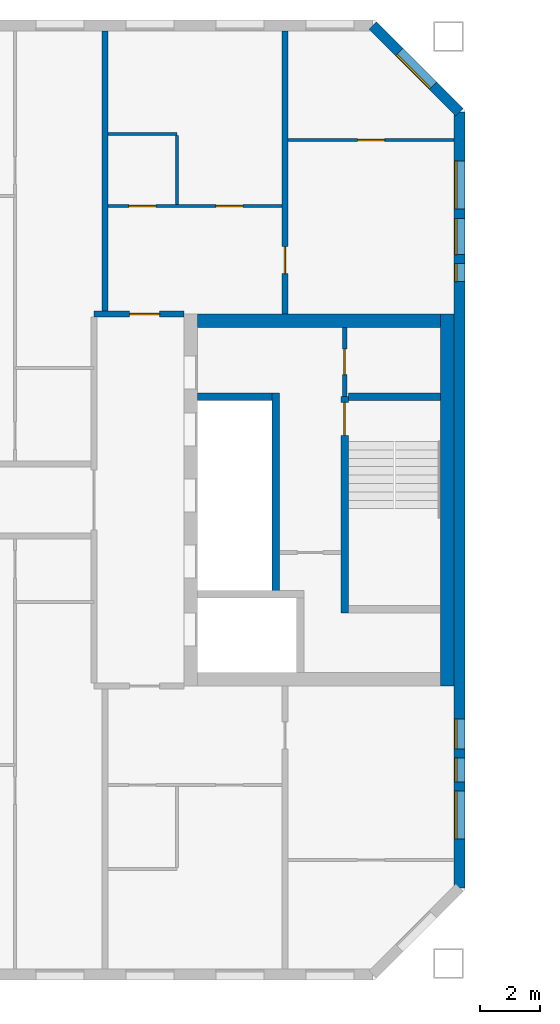
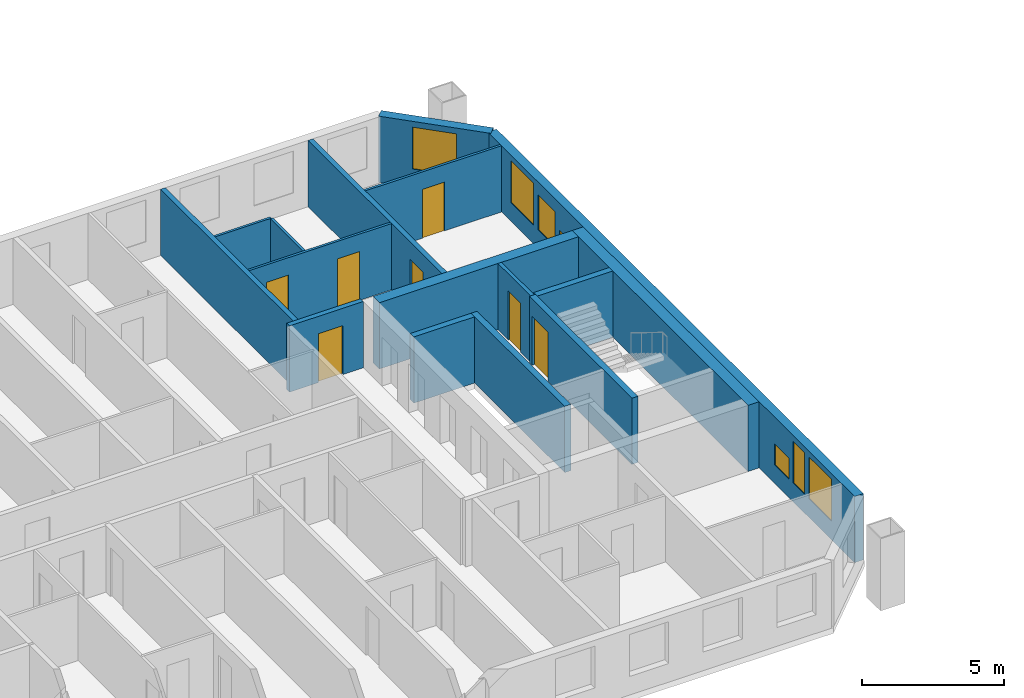
# One storey, part 7 of 15: 16 walls, 7 doors, 7 windows, 14 openings.
"""IFC4 building model written with IfcOpenShell, lengths in metres."""

from ifc_helpers import new_model, si_unit, direction, frame, frame_2d, origin, place, context, subcontext, project, spatial, rectangle, extrude, material, layer, layer_set, type_object, element, fill, save


model = new_model("IFC4")

# Units and contexts
model_context = context("Model", 3, precision=1e-05, world=origin(), true_north=direction((0.0, 1.0)))
body_context = subcontext(model_context, "Body", "Model", "MODEL_VIEW")
ifc_project = project(units=[si_unit("LENGTHUNIT", "METRE"), si_unit("AREAUNIT", "SQUARE_METRE"), si_unit("VOLUMEUNIT", "CUBIC_METRE"), si_unit("PLANEANGLEUNIT", "RADIAN"), si_unit("MASSUNIT", "GRAM", prefix="KILO")], contexts=[model_context])

# Site, building, storey
site_placement = place(None, origin())
site = spatial("IfcSite", under=ifc_project, at=site_placement, CompositionType="ELEMENT")
building_placement = place(site_placement, origin())
building = spatial("IfcBuilding", under=site, at=building_placement, Name="Tuart Gate Housing", CompositionType="ELEMENT")
storey_placement = place(building_placement, frame((0.0, 0.0, 185.10009765625)))
storey = spatial("IfcBuildingStorey", under=building, at=storey_placement, Name="L52", CompositionType="ELEMENT", Elevation=185.10009765625)

# Wall, openings, windows
ifc_material_1 = material(Name="Brick", Category="masonry")
ifc_layer_1 = layer(ifc_material_1, 0.360107421875)
ifc_layer_set_1 = layer_set([ifc_layer_1], Name="Brick pier and spandrel wall 360")
wall_type_1 = type_object("IfcWallType", Name="Brick pier and spandrel wall 360", PredefinedType="STANDARD", material=ifc_layer_set_1)
wall_1_placement = place(storey_placement, frame((75.820068359375, 57.07470703125, 0.0), z_axis=(0.0, 0.0, 1.0), x_axis=(0.0, 1.0, 0.0)))
wall_1 = element("IfcWall", 1, at=wall_1_placement, inside=storey, type_object=wall_type_1, Name="External wall A-E L52", PredefinedType="STANDARD", context=body_context, shape_type="SweptSolid", body=[
    extrude(rectangle(XDim=25.850830078125, YDim=0.360107421875, at=frame_2d((12.92529296875, 0.0))), origin(), (0.0, 0.0, 1.0), 2.849853515625),
])
opening_1_placement = place(wall_1_placement, frame((1.62548828125, 0.0, 0.800048828125)))
opening_1 = element("IfcOpeningElement", 2, at=opening_1_placement, cuts=wall_1, Name="Opening W1", PredefinedType="OPENING", context=body_context, shape_type="SweptSolid", body=[
    extrude(rectangle(XDim=1.60009765625, YDim=1.800048828125, at=frame_2d((0.800048828125, 0.89990234375))), frame((0.0, 0.18994140625, 0.0), z_axis=(0.0, -1.0, 0.0), x_axis=(1.0, 0.0, 0.0)), (0.0, 0.0, 1.0), 0.380126953125),
])
opening_2_placement = place(wall_1_placement, frame((3.525390625, 0.0, 0.800048828125)))
opening_2 = element("IfcOpeningElement", 3, at=opening_2_placement, cuts=wall_1, Name="Opening W1D", PredefinedType="OPENING", context=body_context, shape_type="SweptSolid", body=[
    extrude(rectangle(XDim=0.800048828125, YDim=1.800048828125, at=frame_2d((0.39990234375, 0.89990234375))), frame((0.0, 0.18994140625, 0.0), z_axis=(0.0, -1.0, 0.0), x_axis=(1.0, 0.0, 0.0)), (0.0, 0.0, 1.0), 0.380126953125),
])
opening_3_placement = place(wall_1_placement, frame((20.200439453125, 0.0, 0.800048828125)))
opening_3 = element("IfcOpeningElement", 4, at=opening_3_placement, cuts=wall_1, Name="Opening W1W", PredefinedType="OPENING", context=body_context, shape_type="SweptSolid", body=[
    extrude(rectangle(XDim=0.60009765625, YDim=0.89990234375, at=frame_2d((0.300048828125, 0.449951171875))), frame((0.0, 0.18994140625, 0.0), z_axis=(0.0, -1.0, 0.0), x_axis=(1.0, 0.0, 0.0)), (0.0, 0.0, 1.0), 0.380126953125),
])
opening_4_placement = place(wall_1_placement, frame((22.62548828125, 0.0, 0.800048828125)))
opening_4 = element("IfcOpeningElement", 5, at=opening_4_placement, cuts=wall_1, Name="Opening W1", PredefinedType="OPENING", context=body_context, shape_type="SweptSolid", body=[
    extrude(rectangle(XDim=1.60009765625, YDim=1.800048828125, at=frame_2d((0.800048828125, 0.89990234375))), frame((0.0, 0.18994140625, 0.0), z_axis=(0.0, -1.0, 0.0), x_axis=(1.0, 0.0, 0.0)), (0.0, 0.0, 1.0), 0.380126953125),
])
opening_5_placement = place(wall_1_placement, frame((4.62548828125, 0.0, 0.800048828125)))
opening_5 = element("IfcOpeningElement", 6, at=opening_5_placement, cuts=wall_1, Name="Opening W1U", PredefinedType="OPENING", context=body_context, shape_type="SweptSolid", body=[
    extrude(rectangle(XDim=1.0, YDim=0.89990234375, at=frame_2d((0.5, 0.449951171875))), frame((0.0, 0.18994140625, 0.0), z_axis=(0.0, -1.0, 0.0), x_axis=(1.0, 0.0, 0.0)), (0.0, 0.0, 1.0), 0.380126953125),
])
opening_6_placement = place(wall_1_placement, frame((21.100341796875, 0.0, 0.800048828125)))
opening_6 = element("IfcOpeningElement", 7, at=opening_6_placement, cuts=wall_1, Name="Opening W1H", PredefinedType="OPENING", context=body_context, shape_type="SweptSolid", body=[
    extrude(rectangle(XDim=1.199951171875, YDim=1.5, at=frame_2d((0.60009765625, 0.75))), frame((0.0, 0.18994140625, 0.0), z_axis=(0.0, -1.0, 0.0), x_axis=(1.0, 0.0, 0.0)), (0.0, 0.0, 1.0), 0.380126953125),
])
ifc_material_2 = material(Name="Aluminium frame with clear glass", Category="aluminium")
window_type_1 = type_object("IfcWindowType", Name="Punched window 1000 x 900", PartitioningType="SINGLE_PANEL", PredefinedType="WINDOW", material=ifc_material_2)
window_1_placement = place(opening_5_placement, origin())
window_1 = element("IfcWindow", 8, at=window_1_placement, inside=storey, type_object=window_type_1, Name="Window W1U", OverallHeight=0.89990234375, OverallWidth=1.0, PartitioningType="SINGLE_PANEL", PredefinedType="WINDOW", context=body_context, shape_type="SweptSolid", body=[
    extrude(rectangle(XDim=1.0, YDim=0.89990234375, at=frame_2d((0.5, 0.449951171875))), frame((0.0, 0.150146484375, 0.0), z_axis=(0.0, -1.0, 0.0), x_axis=(1.0, 0.0, 0.0)), (0.0, 0.0, 1.0), 0.06005859375),
])
fill(opening_5, window_1)
ifc_material_3 = material(Name="Aluminium frame with clear glass", Category="aluminium")
window_type_2 = type_object("IfcWindowType", Name="Punched window 1200 x 1500", PartitioningType="SINGLE_PANEL", PredefinedType="WINDOW", material=ifc_material_3)
window_2_placement = place(opening_6_placement, origin())
window_2 = element("IfcWindow", 9, at=window_2_placement, inside=storey, type_object=window_type_2, Name="Window W1H", OverallHeight=1.5, OverallWidth=1.199951171875, PartitioningType="SINGLE_PANEL", PredefinedType="WINDOW", context=body_context, shape_type="SweptSolid", body=[
    extrude(rectangle(XDim=1.199951171875, YDim=1.5, at=frame_2d((0.60009765625, 0.75))), frame((0.0, 0.150146484375, 0.0), z_axis=(0.0, -1.0, 0.0), x_axis=(1.0, 0.0, 0.0)), (0.0, 0.0, 1.0), 0.06005859375),
])
fill(opening_6, window_2)
ifc_material_4 = material(Name="Aluminium frame with clear glass", Category="aluminium")
window_type_3 = type_object("IfcWindowType", Name="Punched window 1600 x 1800", PartitioningType="SINGLE_PANEL", PredefinedType="WINDOW", material=ifc_material_4)
window_3_placement = place(opening_1_placement, origin())
window_3 = element("IfcWindow", 10, at=window_3_placement, inside=storey, type_object=window_type_3, Name="Window W1", OverallHeight=1.800048828125, OverallWidth=1.60009765625, PartitioningType="SINGLE_PANEL", PredefinedType="WINDOW", context=body_context, shape_type="SweptSolid", body=[
    extrude(rectangle(XDim=1.60009765625, YDim=1.800048828125, at=frame_2d((0.800048828125, 0.89990234375))), frame((0.0, 0.150146484375, 0.0), z_axis=(0.0, -1.0, 0.0), x_axis=(1.0, 0.0, 0.0)), (0.0, 0.0, 1.0), 0.06005859375),
])
fill(opening_1, window_3)
window_4_placement = place(opening_4_placement, origin())
window_4 = element("IfcWindow", 11, at=window_4_placement, inside=storey, type_object=window_type_3, Name="Window W1", OverallHeight=1.800048828125, OverallWidth=1.60009765625, PartitioningType="SINGLE_PANEL", PredefinedType="WINDOW", context=body_context, shape_type="SweptSolid", body=[
    extrude(rectangle(XDim=1.60009765625, YDim=1.800048828125, at=frame_2d((0.800048828125, 0.89990234375))), frame((0.0, 0.150146484375, 0.0), z_axis=(0.0, -1.0, 0.0), x_axis=(1.0, 0.0, 0.0)), (0.0, 0.0, 1.0), 0.06005859375),
])
fill(opening_4, window_4)
ifc_material_5 = material(Name="Aluminium frame with clear glass", Category="aluminium")
window_type_4 = type_object("IfcWindowType", Name="Punched window 600 x 900", PartitioningType="SINGLE_PANEL", PredefinedType="WINDOW", material=ifc_material_5)
window_5_placement = place(opening_3_placement, origin())
window_5 = element("IfcWindow", 12, at=window_5_placement, inside=storey, type_object=window_type_4, Name="Window W1W", OverallHeight=0.89990234375, OverallWidth=0.60009765625, PartitioningType="SINGLE_PANEL", PredefinedType="WINDOW", context=body_context, shape_type="SweptSolid", body=[
    extrude(rectangle(XDim=0.60009765625, YDim=0.89990234375, at=frame_2d((0.300048828125, 0.449951171875))), frame((0.0, 0.150146484375, 0.0), z_axis=(0.0, -1.0, 0.0), x_axis=(1.0, 0.0, 0.0)), (0.0, 0.0, 1.0), 0.06005859375),
])
fill(opening_3, window_5)
ifc_material_6 = material(Name="Aluminium frame with clear glass", Category="aluminium")
window_type_5 = type_object("IfcWindowType", Name="Punched window 800 x 1800", PartitioningType="SINGLE_PANEL", PredefinedType="WINDOW", material=ifc_material_6)
window_6_placement = place(opening_2_placement, origin())
window_6 = element("IfcWindow", 13, at=window_6_placement, inside=storey, type_object=window_type_5, Name="Window W1D", OverallHeight=1.800048828125, OverallWidth=0.800048828125, PartitioningType="SINGLE_PANEL", PredefinedType="WINDOW", context=body_context, shape_type="SweptSolid", body=[
    extrude(rectangle(XDim=0.800048828125, YDim=1.800048828125, at=frame_2d((0.39990234375, 0.89990234375))), frame((0.0, 0.150146484375, 0.0), z_axis=(0.0, -1.0, 0.0), x_axis=(1.0, 0.0, 0.0)), (0.0, 0.0, 1.0), 0.06005859375),
])
fill(opening_2, window_6)

# Wall, opening, window
wall_2_placement = place(storey_placement, frame((75.820068359375, 82.92529296875, 0.0), z_axis=(0.0, 0.0, 1.0), x_axis=(-0.707106781187, 0.707106781187, 0.0)))
wall_2 = element("IfcWall", 14, at=wall_2_placement, inside=storey, type_object=wall_type_1, Name="External wall A-NE L52", PredefinedType="STANDARD", context=body_context, shape_type="SweptSolid", body=[
    extrude(rectangle(XDim=4.09375, YDim=0.360107421875, at=frame_2d((2.046875, 0.0))), origin(), (0.0, 0.0, 1.0), 2.849853515625),
])
opening_7_placement = place(wall_2_placement, frame((1.2470703125, 0.0, 0.800048828125)))
opening_7 = element("IfcOpeningElement", 15, at=opening_7_placement, cuts=wall_2, Name="Opening W1", PredefinedType="OPENING", context=body_context, shape_type="SweptSolid", body=[
    extrude(rectangle(XDim=1.60009765625, YDim=1.800048828125, at=frame_2d((0.800048828125, 0.89990234375))), frame((0.0, 0.18994140625, 0.0), z_axis=(0.0, -1.0, 0.0), x_axis=(1.0, 0.0, 0.0)), (0.0, 0.0, 1.0), 0.380126953125),
])
window_7_placement = place(opening_7_placement, origin())
window_7 = element("IfcWindow", 16, at=window_7_placement, inside=storey, type_object=window_type_3, Name="Window W1", OverallHeight=1.800048828125, OverallWidth=1.60009765625, PartitioningType="SINGLE_PANEL", PredefinedType="WINDOW", context=body_context, shape_type="SweptSolid", body=[
    extrude(rectangle(XDim=1.60009765625, YDim=1.800048828125, at=frame_2d((0.800048828125, 0.89990234375))), frame((0.0, 0.150146484375, 0.0), z_axis=(0.0, -1.0, 0.0), x_axis=(1.0, 0.0, 0.0)), (0.0, 0.0, 1.0), 0.06005859375),
])
fill(opening_7, window_7)

# Wall, opening, door
ifc_material_7 = material(Name="Plasterboard partition")
ifc_layer_2 = layer(ifc_material_7, 0.14990234375)
ifc_layer_set_2 = layer_set([ifc_layer_2], Name="Core partition 150")
wall_type_2 = type_object("IfcWallType", Name="Core partition 150", PredefinedType="PARTITIONING", material=ifc_layer_set_2)
wall_3_placement = place(storey_placement, frame((71.989990234375, 73.449951171875, 0.0), z_axis=(0.0, 0.0, 1.0), x_axis=(0.0, 1.0, 0.0)))
wall_3 = element("IfcWall", 17, at=wall_3_placement, inside=storey, type_object=wall_type_2, Name="Core partition AG.9", PredefinedType="PARTITIONING", context=body_context, shape_type="SweptSolid", body=[
    extrude(rectangle(XDim=2.300048828125, YDim=0.14990234375, at=frame_2d((1.14990234375, 0.0))), origin(), (0.0, 0.0, 1.0), 2.849853515625),
])
opening_8_placement = place(wall_3_placement, frame((0.72509765625, 0.0, 0.0)))
opening_8 = element("IfcOpeningElement", 18, at=opening_8_placement, cuts=wall_3, Name="Opening D1861", PredefinedType="OPENING", context=body_context, shape_type="SweptSolid", body=[
    extrude(rectangle(XDim=0.85009765625, YDim=2.10009765625, at=frame_2d((0.425048828125, 1.050048828125))), frame((0.0, 0.0849609375, 0.0), z_axis=(0.0, -1.0, 0.0), x_axis=(1.0, 0.0, 0.0)), (0.0, 0.0, 1.0), 0.169921875),
])
ifc_material_8 = material(Name="Steel fire door", Category="steel")
door_type_1 = type_object("IfcDoorType", Name="Service door 850 x 2100 RH", OperationType="SINGLE_SWING_RIGHT", PredefinedType="DOOR", material=ifc_material_8)
door_1_placement = place(opening_8_placement, frame((0.85009765625, 0.0, 0.0), z_axis=(0.0, 0.0, 1.0), x_axis=(-1.0, 0.0, 0.0)))
door_1 = element("IfcDoor", 19, at=door_1_placement, inside=storey, type_object=door_type_1, Name="Service room door AG.ST", OperationType="SINGLE_SWING_RIGHT", OverallHeight=2.10009765625, OverallWidth=0.85009765625, PredefinedType="DOOR", context=body_context, shape_type="SweptSolid", body=[
    extrude(rectangle(XDim=0.85009765625, YDim=2.10009765625, at=frame_2d((0.425048828125, 1.050048828125))), frame((0.0, 0.025146484375, 0.0), z_axis=(0.0, -1.0, 0.0), x_axis=(1.0, 0.0, 0.0)), (0.0, 0.0, 1.0), 0.050048828125),
])
fill(opening_8, door_1)

# Walls
ifc_material_9 = material(Name="Concrete C40", Category="concrete")
ifc_layer_3 = layer(ifc_material_9, 0.25)
ifc_layer_set_3 = layer_set([ifc_layer_3], Name="Core wall 250 C40")
wall_type_3 = type_object("IfcWallType", Name="Core wall 250 C40", PredefinedType="SHEAR", material=ifc_layer_set_3)
wall_4_placement = place(storey_placement, frame((67.090087890625, 73.449951171875, 0.0), z_axis=(0.0, 0.0, 1.0), x_axis=(1.0, 0.0, 0.0)))
element("IfcWall", 20, at=wall_4_placement, inside=storey, type_object=wall_type_3, Name="Core wall AG.4", PredefinedType="SHEAR", context=body_context, shape_type="SweptSolid", body=[
    extrude(rectangle(XDim=2.474853515625, YDim=0.25, at=frame_2d((1.2373046875, 0.0))), origin(), (0.0, 0.0, 1.0), 2.849853515625),
])
wall_5_placement = place(storey_placement, frame((72.114990234375, 73.449951171875, 0.0), z_axis=(0.0, 0.0, 1.0), x_axis=(1.0, 0.0, 0.0)))
element("IfcWall", 21, at=wall_5_placement, inside=storey, type_object=wall_type_3, Name="Core wall AG.5", PredefinedType="SHEAR", context=body_context, shape_type="SweptSolid", body=[
    extrude(rectangle(XDim=3.074951171875, YDim=0.25, at=frame_2d((1.53759765625, 0.0))), origin(), (0.0, 0.0, 1.0), 2.849853515625),
])
wall_6_placement = place(storey_placement, frame((69.68994140625, 66.97509765625, 0.0), z_axis=(0.0, 0.0, 1.0), x_axis=(0.0, 1.0, 0.0)))
element("IfcWall", 22, at=wall_6_placement, inside=storey, type_object=wall_type_3, Name="Core wall AG.6", PredefinedType="SHEAR", context=body_context, shape_type="SweptSolid", body=[
    extrude(rectangle(XDim=6.599853515625, YDim=0.25, at=frame_2d((3.2998046875, 0.0))), origin(), (0.0, 0.0, 1.0), 2.849853515625),
])

# Wall, opening, door
wall_7_placement = place(storey_placement, frame((71.989990234375, 66.22509765625, 0.0), z_axis=(0.0, 0.0, 1.0), x_axis=(0.0, 1.0, 0.0)))
wall_7 = element("IfcWall", 23, at=wall_7_placement, inside=storey, type_object=wall_type_3, Name="Core wall AG.8", PredefinedType="SHEAR", context=body_context, shape_type="SweptSolid", body=[
    extrude(rectangle(XDim=7.224853515625, YDim=0.25, at=frame_2d((3.6123046875, 0.0))), origin(), (0.0, 0.0, 1.0), 2.849853515625),
])
opening_9_placement = place(wall_7_placement, frame((5.925048828125, 0.0, 0.0)))
opening_9 = element("IfcOpeningElement", 24, at=opening_9_placement, cuts=wall_7, Name="Opening D1871", PredefinedType="OPENING", context=body_context, shape_type="SweptSolid", body=[
    extrude(rectangle(XDim=1.10009765625, YDim=2.10009765625, at=frame_2d((0.550048828125, 1.050048828125))), frame((0.0, 0.135009765625, 0.0), z_axis=(0.0, -1.0, 0.0), x_axis=(1.0, 0.0, 0.0)), (0.0, 0.0, 1.0), 0.27001953125),
])
ifc_material_10 = material(Name="Steel fire door", Category="steel")
door_type_2 = type_object("IfcDoorType", Name="Stair door 1100 x 2100", OperationType="SINGLE_SWING_LEFT", PredefinedType="DOOR", material=ifc_material_10)
door_2_placement = place(opening_9_placement, frame((1.10009765625, 0.0, 0.0), z_axis=(0.0, 0.0, 1.0), x_axis=(-1.0, 0.0, 0.0)))
door_2 = element("IfcDoor", 25, at=door_2_placement, inside=storey, type_object=door_type_2, Name="Stair door AG.SD", OperationType="SINGLE_SWING_LEFT", OverallHeight=2.10009765625, OverallWidth=1.10009765625, PredefinedType="DOOR", context=body_context, shape_type="SweptSolid", body=[
    extrude(rectangle(XDim=1.10009765625, YDim=2.10009765625, at=frame_2d((0.550048828125, 1.050048828125))), frame((0.0, 0.025146484375, 0.0), z_axis=(0.0, -1.0, 0.0), x_axis=(1.0, 0.0, 0.0)), (0.0, 0.0, 1.0), 0.050048828125),
])
fill(opening_9, door_2)

# Walls
ifc_material_11 = material(Name="Concrete C40", Category="concrete")
ifc_layer_4 = layer(ifc_material_11, 0.449951171875)
ifc_layer_set_4 = layer_set([ifc_layer_4], Name="Core wall 450 C40")
wall_type_4 = type_object("IfcWallType", Name="Core wall 450 C40", PredefinedType="SHEAR", material=ifc_layer_set_4)
wall_8_placement = place(storey_placement, frame((75.4150390625, 63.800048828125, 0.0), z_axis=(0.0, 0.0, 1.0), x_axis=(0.0, 1.0, 0.0)))
element("IfcWall", 26, at=wall_8_placement, inside=storey, type_object=wall_type_4, Name="Core wall AG back", PredefinedType="SHEAR", context=body_context, shape_type="SweptSolid", body=[
    extrude(rectangle(XDim=12.39990234375, YDim=0.449951171875, at=frame_2d((6.199951171875, 0.0))), origin(), (0.0, 0.0, 1.0), 2.849853515625),
])
wall_9_placement = place(storey_placement, frame((67.090087890625, 75.97509765625, 0.0), z_axis=(0.0, 0.0, 1.0), x_axis=(1.0, 0.0, 0.0)))
element("IfcWall", 27, at=wall_9_placement, inside=storey, type_object=wall_type_4, Name="Core wall AG north", PredefinedType="SHEAR", context=body_context, shape_type="SweptSolid", body=[
    extrude(rectangle(XDim=8.099853515625, YDim=0.449951171875, at=frame_2d((4.0498046875, 0.0))), origin(), (0.0, 0.0, 1.0), 2.849853515625),
])

# Wall, opening, door
ifc_material_12 = material(Name="Concrete masonry 15 MPa", Category="masonry")
ifc_layer_5 = layer(ifc_material_12, 0.199951171875)
ifc_layer_set_5 = layer_set([ifc_layer_5], Name="Enclosure wall masonry 200")
wall_type_5 = type_object("IfcWallType", Name="Enclosure wall masonry 200", PredefinedType="PARTITIONING", material=ifc_layer_set_5)
wall_10_placement = place(storey_placement, frame((63.639892578125, 76.199951171875, 0.0), z_axis=(0.0, 0.0, 1.0), x_axis=(1.0, 0.0, 0.0)))
wall_10 = element("IfcWall", 28, at=wall_10_placement, inside=storey, type_object=wall_type_5, Name="Enclosure wall masonry 200", PredefinedType="PARTITIONING", context=body_context, shape_type="SweptSolid", body=[
    extrude(rectangle(XDim=3.0, YDim=0.199951171875, at=frame_2d((1.5, 0.0))), origin(), (0.0, 0.0, 1.0), 2.849853515625),
])
opening_10_placement = place(wall_10_placement, frame((1.179931640625, 0.0, 0.0)))
opening_10 = element("IfcOpeningElement", 29, at=opening_10_placement, cuts=wall_10, Name="Opening D1860", PredefinedType="OPENING", context=body_context, shape_type="SweptSolid", body=[
    extrude(rectangle(XDim=1.0, YDim=2.10009765625, at=frame_2d((0.5, 1.050048828125))), frame((0.0, 0.10986328125, 0.0), z_axis=(0.0, -1.0, 0.0), x_axis=(1.0, 0.0, 0.0)), (0.0, 0.0, 1.0), 0.219970703125),
])
ifc_material_13 = material(Name="Timber door leaf in steel frame", Category="steel")
door_type_3 = type_object("IfcDoorType", Name="Flat entrance door 1000", OperationType="SINGLE_SWING_LEFT", PredefinedType="DOOR", material=ifc_material_13)
door_3_placement = place(opening_10_placement, origin())
door_3 = element("IfcDoor", 30, at=door_3_placement, inside=storey, type_object=door_type_3, Name="Flat entrance door", OperationType="SINGLE_SWING_LEFT", OverallHeight=2.10009765625, OverallWidth=1.0, PredefinedType="DOOR", context=body_context, shape_type="SweptSolid", body=[
    extrude(rectangle(XDim=1.0, YDim=2.10009765625, at=frame_2d((0.5, 1.050048828125))), frame((0.0, 0.02490234375, 0.0), z_axis=(0.0, -1.0, 0.0), x_axis=(1.0, 0.0, 0.0)), (0.0, 0.0, 1.0), 0.050048828125),
])
fill(opening_10, door_3)

# Wall, openings, doors
ifc_material_14 = material(Name="Gypsum board on steel studs", Category="steel")
ifc_layer_6 = layer(ifc_material_14, 0.10009765625)
ifc_layer_set_6 = layer_set([ifc_layer_6], Name="Partition 100")
wall_type_6 = type_object("IfcWallType", Name="Partition 100", PredefinedType="PARTITIONING", material=ifc_layer_set_6)
wall_11_placement = place(storey_placement, frame((64.10009765625, 79.800048828125, 0.0), z_axis=(0.0, 0.0, 1.0), x_axis=(1.0, 0.0, 0.0)))
wall_11 = element("IfcWall", 31, at=wall_11_placement, inside=storey, type_object=wall_type_6, Name="Partition 100", PredefinedType="PARTITIONING", context=body_context, shape_type="SweptSolid", body=[
    extrude(rectangle(XDim=5.7998046875, YDim=0.10009765625, at=frame_2d((2.89990234375, 0.0))), origin(), (0.0, 0.0, 1.0), 2.849853515625),
])
opening_11_placement = place(wall_11_placement, frame((3.60009765625, 0.0, 0.0)))
opening_11 = element("IfcOpeningElement", 32, at=opening_11_placement, cuts=wall_11, Name="Opening D1847", PredefinedType="OPENING", context=body_context, shape_type="SweptSolid", body=[
    extrude(rectangle(XDim=0.89990234375, YDim=2.10009765625, at=frame_2d((0.449951171875, 1.050048828125))), frame((0.0, 0.06005859375, 0.0), z_axis=(0.0, -1.0, 0.0), x_axis=(1.0, 0.0, 0.0)), (0.0, 0.0, 1.0), 0.1201171875),
])
opening_12_placement = place(wall_11_placement, frame((0.699951171875, 0.0, 0.0)))
opening_12 = element("IfcOpeningElement", 33, at=opening_12_placement, cuts=wall_11, Name="Opening D1846", PredefinedType="OPENING", context=body_context, shape_type="SweptSolid", body=[
    extrude(rectangle(XDim=0.89990234375, YDim=2.10009765625, at=frame_2d((0.449951171875, 1.050048828125))), frame((0.0, 0.06005859375, 0.0), z_axis=(0.0, -1.0, 0.0), x_axis=(1.0, 0.0, 0.0)), (0.0, 0.0, 1.0), 0.1201171875),
])
ifc_material_15 = material(Name="Timber door leaf in steel frame", Category="steel")
door_type_4 = type_object("IfcDoorType", Name="Bathroom door 900 RH", OperationType="SINGLE_SWING_RIGHT", PredefinedType="DOOR", material=ifc_material_15)
door_4_placement = place(opening_12_placement, origin())
door_4 = element("IfcDoor", 34, at=door_4_placement, inside=storey, type_object=door_type_4, Name="Bathroom door", OperationType="SINGLE_SWING_RIGHT", OverallHeight=2.10009765625, OverallWidth=0.89990234375, PredefinedType="DOOR", context=body_context, shape_type="SweptSolid", body=[
    extrude(rectangle(XDim=0.89990234375, YDim=2.10009765625, at=frame_2d((0.449951171875, 1.050048828125))), frame((0.0, 0.02490234375, 0.0), z_axis=(0.0, -1.0, 0.0), x_axis=(1.0, 0.0, 0.0)), (0.0, 0.0, 1.0), 0.050048828125),
])
fill(opening_12, door_4)
ifc_material_16 = material(Name="Timber door leaf in steel frame", Category="steel")
door_type_5 = type_object("IfcDoorType", Name="Internal door 900", OperationType="SINGLE_SWING_LEFT", PredefinedType="DOOR", material=ifc_material_16)
door_5_placement = place(opening_11_placement, origin())
door_5 = element("IfcDoor", 35, at=door_5_placement, inside=storey, type_object=door_type_5, Name="Internal door", OperationType="SINGLE_SWING_LEFT", OverallHeight=2.10009765625, OverallWidth=0.89990234375, PredefinedType="DOOR", context=body_context, shape_type="SweptSolid", body=[
    extrude(rectangle(XDim=0.89990234375, YDim=2.10009765625, at=frame_2d((0.449951171875, 1.050048828125))), frame((0.0, 0.02490234375, 0.0), z_axis=(0.0, -1.0, 0.0), x_axis=(1.0, 0.0, 0.0)), (0.0, 0.0, 1.0), 0.050048828125),
])
fill(opening_11, door_5)

# Wall, opening, door
wall_12_placement = place(storey_placement, frame((70.10009765625, 82.0, 0.0), z_axis=(0.0, 0.0, 1.0), x_axis=(1.0, 0.0, 0.0)))
wall_12 = element("IfcWall", 36, at=wall_12_placement, inside=storey, type_object=wall_type_6, Name="Partition 100", PredefinedType="PARTITIONING", context=body_context, shape_type="SweptSolid", body=[
    extrude(rectangle(XDim=5.539794921875, YDim=0.10009765625, at=frame_2d((2.77001953125, 0.0))), origin(), (0.0, 0.0, 1.0), 2.849853515625),
])
opening_13_placement = place(wall_12_placement, frame((2.320068359375, 0.0, 0.0)))
opening_13 = element("IfcOpeningElement", 37, at=opening_13_placement, cuts=wall_12, Name="Opening D1842", PredefinedType="OPENING", context=body_context, shape_type="SweptSolid", body=[
    extrude(rectangle(XDim=0.89990234375, YDim=2.10009765625, at=frame_2d((0.449951171875, 1.050048828125))), frame((0.0, 0.06005859375, 0.0), z_axis=(0.0, -1.0, 0.0), x_axis=(1.0, 0.0, 0.0)), (0.0, 0.0, 1.0), 0.1201171875),
])
ifc_material_17 = material(Name="Timber door leaf in steel frame", Category="steel")
door_type_6 = type_object("IfcDoorType", Name="Internal door 900 RH", OperationType="SINGLE_SWING_RIGHT", PredefinedType="DOOR", material=ifc_material_17)
door_6_placement = place(opening_13_placement, origin())
door_6 = element("IfcDoor", 38, at=door_6_placement, inside=storey, type_object=door_type_6, Name="Internal door", OperationType="SINGLE_SWING_RIGHT", OverallHeight=2.10009765625, OverallWidth=0.89990234375, PredefinedType="DOOR", context=body_context, shape_type="SweptSolid", body=[
    extrude(rectangle(XDim=0.89990234375, YDim=2.10009765625, at=frame_2d((0.449951171875, 1.050048828125))), frame((0.0, 0.02490234375, 0.0), z_axis=(0.0, -1.0, 0.0), x_axis=(1.0, 0.0, 0.0)), (0.0, 0.0, 1.0), 0.050048828125),
])
fill(opening_13, door_6)

# Walls
for number, where, z_axis, x_axis, name in (
    (39, (64.10009765625, 82.199951171875, 0.0), (0.0, 0.0, 1.0), (1.0, 0.0, 0.0), "Partition 100"),
    (40, (66.39990234375, 79.85009765625, 0.0), (0.0, 0.0, 1.0), (0.0, 1.0, 0.0), "Partition 100"),
):
    element("IfcWall", number, at=place(storey_placement, frame(where, z_axis=z_axis, x_axis=x_axis)), inside=storey, type_object=wall_type_6, Name=name, PredefinedType="PARTITIONING", context=body_context, shape_type="SweptSolid", body=[
        extrude(rectangle(XDim=2.2998046875, YDim=0.10009765625, at=frame_2d((1.14990234375, 0.0))), origin(), (0.0, 0.0, 1.0), 2.849853515625),
    ])
ifc_material_18 = material(Name="Concrete C40", Category="concrete")
ifc_layer_7 = layer(ifc_material_18, 0.199951171875)
ifc_layer_set_7 = layer_set([ifc_layer_7], Name="Party wall concrete C40 200")
wall_type_7 = type_object("IfcWallType", Name="Party wall concrete C40 200", PredefinedType="SOLIDWALL", material=ifc_layer_set_7)
wall_13_placement = place(storey_placement, frame((64.0, 76.199951171875, 0.0), z_axis=(0.0, 0.0, 1.0), x_axis=(0.0, 1.0, 0.0)))
element("IfcWall", 41, at=wall_13_placement, inside=storey, type_object=wall_type_7, Name="Party wall concrete C40 200", PredefinedType="SOLIDWALL", context=body_context, shape_type="SweptSolid", body=[
    extrude(rectangle(XDim=9.43994140625, YDim=0.199951171875, at=frame_2d((4.719970703125, 0.0))), origin(), (0.0, 0.0, 1.0), 2.849853515625),
])

# Wall, opening, door
wall_14_placement = place(storey_placement, frame((70.0, 76.199951171875, 0.0), z_axis=(0.0, 0.0, 1.0), x_axis=(0.0, 1.0, 0.0)))
wall_14 = element("IfcWall", 42, at=wall_14_placement, inside=storey, type_object=wall_type_7, Name="Party wall concrete C40 200", PredefinedType="SOLIDWALL", context=body_context, shape_type="SweptSolid", body=[
    extrude(rectangle(XDim=9.43994140625, YDim=0.199951171875, at=frame_2d((4.719970703125, 0.0))), origin(), (0.0, 0.0, 1.0), 2.849853515625),
])
opening_14_placement = place(wall_14_placement, frame((1.35009765625, 0.0, 0.0)))
opening_14 = element("IfcOpeningElement", 43, at=opening_14_placement, cuts=wall_14, Name="Opening D1843", PredefinedType="OPENING", context=body_context, shape_type="SweptSolid", body=[
    extrude(rectangle(XDim=0.89990234375, YDim=2.10009765625, at=frame_2d((0.449951171875, 1.050048828125))), frame((0.0, 0.10986328125, 0.0), z_axis=(0.0, -1.0, 0.0), x_axis=(1.0, 0.0, 0.0)), (0.0, 0.0, 1.0), 0.219970703125),
])
door_7_placement = place(opening_14_placement, origin())
door_7 = element("IfcDoor", 44, at=door_7_placement, inside=storey, type_object=door_type_5, Name="Internal door", OperationType="SINGLE_SWING_LEFT", OverallHeight=2.10009765625, OverallWidth=0.89990234375, PredefinedType="DOOR", context=body_context, shape_type="SweptSolid", body=[
    extrude(rectangle(XDim=0.89990234375, YDim=2.10009765625, at=frame_2d((0.449951171875, 1.050048828125))), frame((0.0, 0.02490234375, 0.0), z_axis=(0.0, -1.0, 0.0), x_axis=(1.0, 0.0, 0.0)), (0.0, 0.0, 1.0), 0.050048828125),
])
fill(opening_14, door_7)

save(model, "model.ifc")
